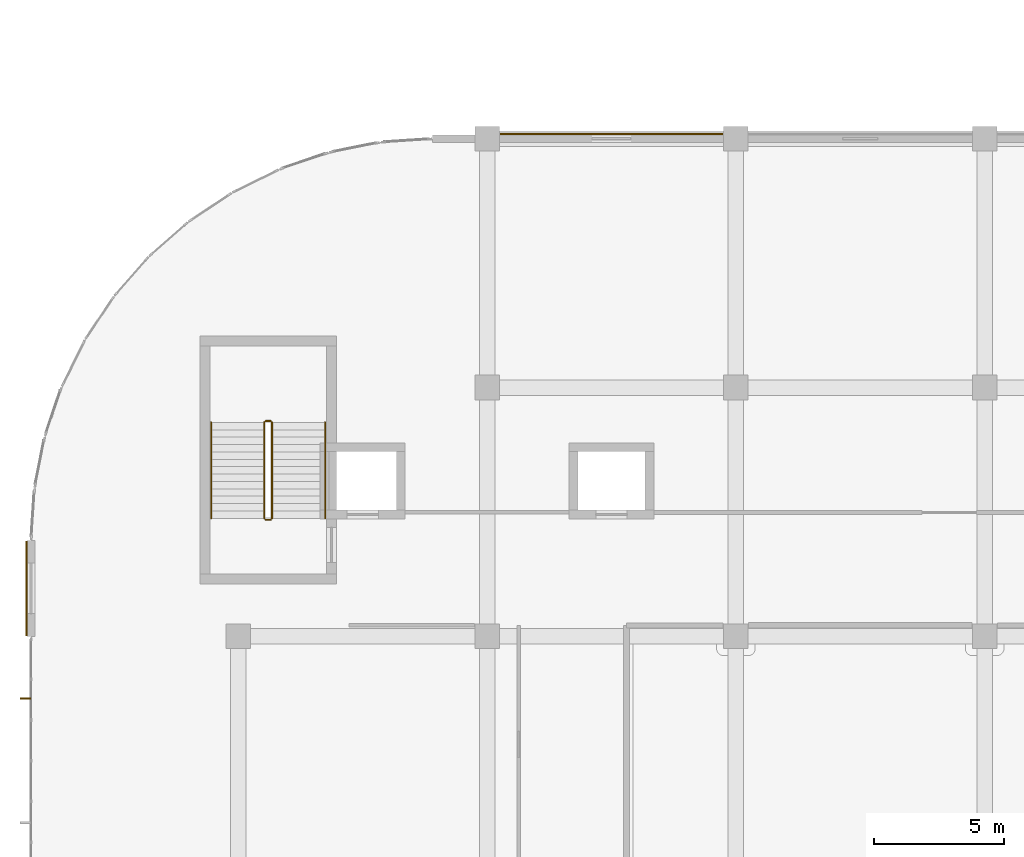
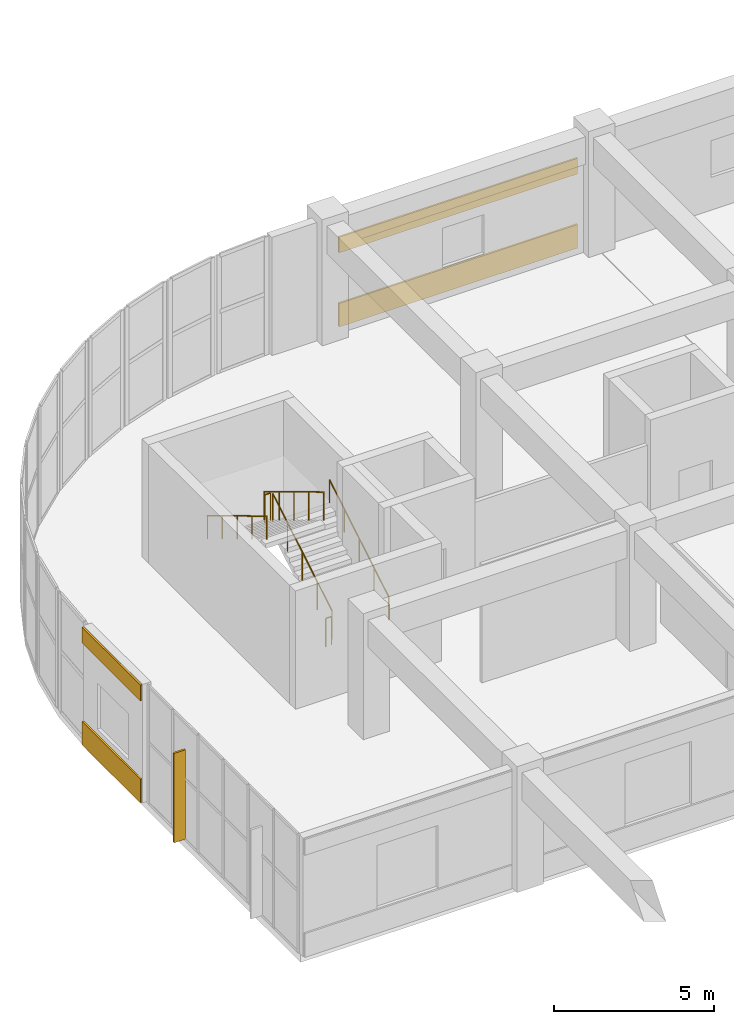
# One storey, part 78 of 86: 6 railings, 4 coverings, 1 shading device.
"""IFC4 building model written with IfcOpenShell, lengths in metres."""

from ifc_helpers import new_model, si_unit, direction, frame, origin, origin_2d, place, context, subcontext, project, spatial, rectangle, circle, extrude, material, layer, layer_set, type_object, element, save


model = new_model("IFC4")

# Units and contexts
model_context = context("Model", 3, precision=1e-05, world=origin(), true_north=direction((0.0, 1.0)))
body_context = subcontext(model_context, "Body", "Model", "MODEL_VIEW")
ifc_project = project(units=[si_unit("LENGTHUNIT", "METRE"), si_unit("AREAUNIT", "SQUARE_METRE"), si_unit("VOLUMEUNIT", "CUBIC_METRE"), si_unit("PLANEANGLEUNIT", "RADIAN"), si_unit("MASSUNIT", "GRAM", prefix="KILO")], contexts=[model_context])

# Site, building, storey
site_placement = place(None, origin())
site = spatial("IfcSite", under=ifc_project, at=site_placement, CompositionType="ELEMENT")
building_placement = place(site_placement, origin())
building = spatial("IfcBuilding", under=site, at=building_placement, Name="Cendralis Terraced Arcade", CompositionType="ELEMENT")
storey_placement = place(building_placement, frame((0.0, 0.0, 5.39990234375)))
storey = spatial("IfcBuildingStorey", under=building, at=storey_placement, Name="L01", CompositionType="ELEMENT", Elevation=5.39990234375)

# Coverings
ifc_material_1 = material(Name="Precast concrete f'c 40 MPa", Category="concrete")
ifc_layer = layer(ifc_material_1, 0.06494140625, Name="COV-CLAD-GRC-65")
ifc_layer_set = layer_set([ifc_layer], Name="Precast concrete f'c 40 MPa")
covering_type = type_object("IfcCoveringType", Name="COV-CLAD-GRC-65", PredefinedType="CLADDING", material=ifc_layer_set)
covering_1_placement = place(storey_placement, frame((1.419921875, 71.449951171875, 0.000244140625), z_axis=(0.0, 0.0, 1.0), x_axis=(0.0, 1.0, 0.0)))
element("IfcCovering", 1, at=covering_1_placement, inside=storey, type_object=covering_type, Name="Banded Precast Stone Spandrel Cladding L01-123", PredefinedType="CLADDING", context=body_context, shape_type="SweptSolid", body=[
    extrude(rectangle(XDim=3.639892578125, YDim=0.06494140625, at=origin_2d()), origin(), (0.0, 0.0, 1.0), 0.89990234375),
])
covering_2_placement = place(storey_placement, frame((1.419921875, 71.449951171875, 3.885009765625), z_axis=(0.0, 0.0, 1.0), x_axis=(0.0, 1.0, 0.0)))
element("IfcCovering", 2, at=covering_2_placement, inside=storey, type_object=covering_type, Name="Banded Precast Stone Lintel Cladding L01-124", PredefinedType="CLADDING", context=body_context, shape_type="SweptSolid", body=[
    extrude(rectangle(XDim=3.639892578125, YDim=0.06494140625, at=origin_2d()), origin(), (0.0, 0.0, 1.0), 0.60009765625),
])
covering_3_placement = place(storey_placement, frame((24.0, 88.97998046875, 0.000244140625), z_axis=(0.0, 0.0, 1.0), x_axis=(1.0, 0.0, 0.0)))
element("IfcCovering", 3, at=covering_3_placement, inside=storey, type_object=covering_type, Name="Banded Precast Stone Spandrel Cladding L01-125", PredefinedType="CLADDING", context=body_context, shape_type="SweptSolid", body=[
    extrude(rectangle(XDim=8.593994140625, YDim=0.06494140625, at=origin_2d()), origin(), (0.0, 0.0, 1.0), 0.89990234375),
])
covering_4_placement = place(storey_placement, frame((24.0, 88.97998046875, 2.824951171875), z_axis=(0.0, 0.0, 1.0), x_axis=(1.0, 0.0, 0.0)))
element("IfcCovering", 4, at=covering_4_placement, inside=storey, type_object=covering_type, Name="Banded Precast Stone Lintel Cladding L01-126", PredefinedType="CLADDING", context=body_context, shape_type="SweptSolid", body=[
    extrude(rectangle(XDim=8.593994140625, YDim=0.06494140625, at=origin_2d()), origin(), (0.0, 0.0, 1.0), 0.60009765625),
])

# Railings
ifc_material_2 = material(Name="Brushed stainless steel AISI 316", Category="steel")
railing_type_1 = type_object("IfcRailingType", Name="RL-STAIR-GUARD-1100", PredefinedType="GUARDRAIL", material=ifc_material_2)
railing_1_placement = place(storey_placement, frame((10.89990234375, 74.14990234375, 0.171630859375)))
element("IfcRailing", 5, at=railing_1_placement, inside=storey, type_object=railing_type_1, Name="L01 ST-07 stair guard 1", PredefinedType="GUARDRAIL", context=body_context, shape_type="SweptSolid", body=[
    extrude(circle(Radius=0.02392578125, at=origin_2d()), frame((0.0, 0.0, 1.076171875), z_axis=(0.0, 0.856934400257, 0.515425487977), x_axis=(-1.0, 0.0, 0.0)), (0.0, 0.0, 1.0), 4.32373046875),
    extrude(circle(Radius=0.02099609375, at=origin_2d()), origin(), (0.0, 0.0, 1.0), 1.052001953125),
    extrude(circle(Radius=0.02099609375, at=origin_2d()), frame((0.0, 0.92626953125, 0.55712890625)), (0.0, 0.0, 1.0), 1.052001953125),
    extrude(circle(Radius=0.02099609375, at=origin_2d()), frame((0.0, 1.8525390625, 1.1142578125)), (0.0, 0.0, 1.0), 1.052001953125),
    extrude(circle(Radius=0.02099609375, at=origin_2d()), frame((0.0, 2.77880859375, 1.67138671875)), (0.0, 0.0, 1.0), 1.052001953125),
    extrude(circle(Radius=0.02099609375, at=origin_2d()), frame((0.0, 3.705078125, 2.228515625)), (0.0, 0.0, 1.0), 1.052001953125),
])
railing_2_placement = place(storey_placement, frame((10.85009765625, 77.905029296875, 2.400146484375)))
element("IfcRailing", 6, at=railing_2_placement, inside=storey, type_object=railing_type_1, Name="L01 ST-07 stair guard 2", PredefinedType="GUARDRAIL", context=body_context, shape_type="SweptSolid", body=[
    extrude(circle(Radius=0.02392578125, at=origin_2d()), frame((0.0, 0.0, 1.076171875), z_axis=(-1.0, 0.0, 0.0), x_axis=(0.0, -1.0, 0.0)), (0.0, 0.0, 1.0), 0.2001953125),
    extrude(circle(Radius=0.02099609375, at=origin_2d()), origin(), (0.0, 0.0, 1.0), 1.052001953125),
    extrude(circle(Radius=0.02099609375, at=origin_2d()), frame((-0.2001953125, 0.0, 0.0)), (0.0, 0.0, 1.0), 1.052001953125),
])
railing_3_placement = place(storey_placement, frame((10.60009765625, 77.85498046875, 2.571533203125)))
element("IfcRailing", 7, at=railing_3_placement, inside=storey, type_object=railing_type_1, Name="L01 ST-07 stair guard 3", PredefinedType="GUARDRAIL", context=body_context, shape_type="SweptSolid", body=[
    extrude(circle(Radius=0.02392578125, at=origin_2d()), frame((0.0, 0.0, 1.076171875), z_axis=(0.0, -0.856934400257, 0.515425487977), x_axis=(1.0, 0.0, 0.0)), (0.0, 0.0, 1.0), 4.32373046875),
    extrude(circle(Radius=0.02099609375, at=origin_2d()), origin(), (0.0, 0.0, 1.0), 1.052001953125),
    extrude(circle(Radius=0.02099609375, at=origin_2d()), frame((0.0, -0.92626953125, 0.55712890625)), (0.0, 0.0, 1.0), 1.052001953125),
    extrude(circle(Radius=0.02099609375, at=origin_2d()), frame((0.0, -1.8525390625, 1.1142578125)), (0.0, 0.0, 1.0), 1.052001953125),
    extrude(circle(Radius=0.02099609375, at=origin_2d()), frame((0.0, -2.77880859375, 1.67138671875)), (0.0, 0.0, 1.0), 1.052001953125),
    extrude(circle(Radius=0.02099609375, at=origin_2d()), frame((0.0, -3.705078125, 2.228515625)), (0.0, 0.0, 1.0), 1.052001953125),
])
railing_4_placement = place(storey_placement, frame((10.85009765625, 74.10009765625, 0.0)))
element("IfcRailing", 8, at=railing_4_placement, inside=storey, type_object=railing_type_1, Name="L01 ST-07 stair guard 4", PredefinedType="GUARDRAIL", context=body_context, shape_type="SweptSolid", body=[
    extrude(circle(Radius=0.02392578125, at=origin_2d()), frame((0.0, 0.0, 1.076171875), z_axis=(-1.0, 0.0, 0.0), x_axis=(0.0, -1.0, 0.0)), (0.0, 0.0, 1.0), 0.2001953125),
    extrude(circle(Radius=0.02099609375, at=origin_2d()), origin(), (0.0, 0.0, 1.0), 1.052001953125),
    extrude(circle(Radius=0.02099609375, at=origin_2d()), frame((-0.2001953125, 0.0, 0.0)), (0.0, 0.0, 1.0), 1.052001953125),
])
railing_type_2 = type_object("IfcRailingType", Name="RL-STAIR-HAND-900", PredefinedType="HANDRAIL", material=ifc_material_2)
railing_5_placement = place(storey_placement, frame((12.949951171875, 74.14990234375, 0.171630859375)))
element("IfcRailing", 9, at=railing_5_placement, inside=storey, type_object=railing_type_2, Name="L01 ST-07 stair handrail 1", PredefinedType="HANDRAIL", context=body_context, shape_type="SweptSolid", body=[
    extrude(circle(Radius=0.02392578125, at=origin_2d()), frame((0.0, 0.0, 0.8759765625), z_axis=(0.0, 0.856934400257, 0.515425487977), x_axis=(-1.0, 0.0, 0.0)), (0.0, 0.0, 1.0), 4.32373046875),
    extrude(circle(Radius=0.02099609375, at=origin_2d()), origin(), (0.0, 0.0, 1.0), 0.851806640625),
    extrude(circle(Radius=0.02099609375, at=origin_2d()), frame((0.0, 0.92626953125, 0.55712890625)), (0.0, 0.0, 1.0), 0.851806640625),
    extrude(circle(Radius=0.02099609375, at=origin_2d()), frame((0.0, 1.8525390625, 1.1142578125)), (0.0, 0.0, 1.0), 0.851806640625),
    extrude(circle(Radius=0.02099609375, at=origin_2d()), frame((0.0, 2.77880859375, 1.67138671875)), (0.0, 0.0, 1.0), 0.851806640625),
    extrude(circle(Radius=0.02099609375, at=origin_2d()), frame((0.0, 3.705078125, 2.228515625)), (0.0, 0.0, 1.0), 0.851806640625),
])
railing_6_placement = place(storey_placement, frame((8.550048828125, 77.85498046875, 2.571533203125)))
element("IfcRailing", 10, at=railing_6_placement, inside=storey, type_object=railing_type_2, Name="L01 ST-07 stair handrail 2", PredefinedType="HANDRAIL", context=body_context, shape_type="SweptSolid", body=[
    extrude(circle(Radius=0.02392578125, at=origin_2d()), frame((0.0, 0.0, 0.8759765625), z_axis=(0.0, -0.856934400257, 0.515425487977), x_axis=(1.0, 0.0, 0.0)), (0.0, 0.0, 1.0), 4.32373046875),
    extrude(circle(Radius=0.02099609375, at=origin_2d()), origin(), (0.0, 0.0, 1.0), 0.851806640625),
    extrude(circle(Radius=0.02099609375, at=origin_2d()), frame((0.0, -0.92626953125, 0.55712890625)), (0.0, 0.0, 1.0), 0.851806640625),
    extrude(circle(Radius=0.02099609375, at=origin_2d()), frame((0.0, -1.8525390625, 1.1142578125)), (0.0, 0.0, 1.0), 0.851806640625),
    extrude(circle(Radius=0.02099609375, at=origin_2d()), frame((0.0, -2.77880859375, 1.67138671875)), (0.0, 0.0, 1.0), 0.851806640625),
    extrude(circle(Radius=0.02099609375, at=origin_2d()), frame((0.0, -3.705078125, 2.228515625)), (0.0, 0.0, 1.0), 0.851806640625),
])

# Shading device
ifc_material_3 = material(Name="Anodised aluminium EN AW-6063 T6", Category="aluminium")
shading_device_type = type_object("IfcShadingDeviceType", Name="SHD-FIN-420", PredefinedType="USERDEFINED", material=ifc_material_3)
shading_device_placement = place(storey_placement, frame((1.385009765625, 67.199951171875, 0.050048828125), z_axis=(0.0, 0.0, 1.0), x_axis=(0.0, 1.0, 0.0)))
element("IfcShadingDevice", 11, at=shading_device_placement, inside=storey, type_object=shading_device_type, Name="Parametric Vertical Solar Fin FIN-L01-002", ObjectType="FIN", PredefinedType="USERDEFINED", context=body_context, shape_type="SweptSolid", body=[
    extrude(rectangle(XDim=0.074951171875, YDim=0.419921875, at=origin_2d()), origin(), (0.0, 0.0, 1.0), 3.39990234375),
])

save(model, "model.ifc")
